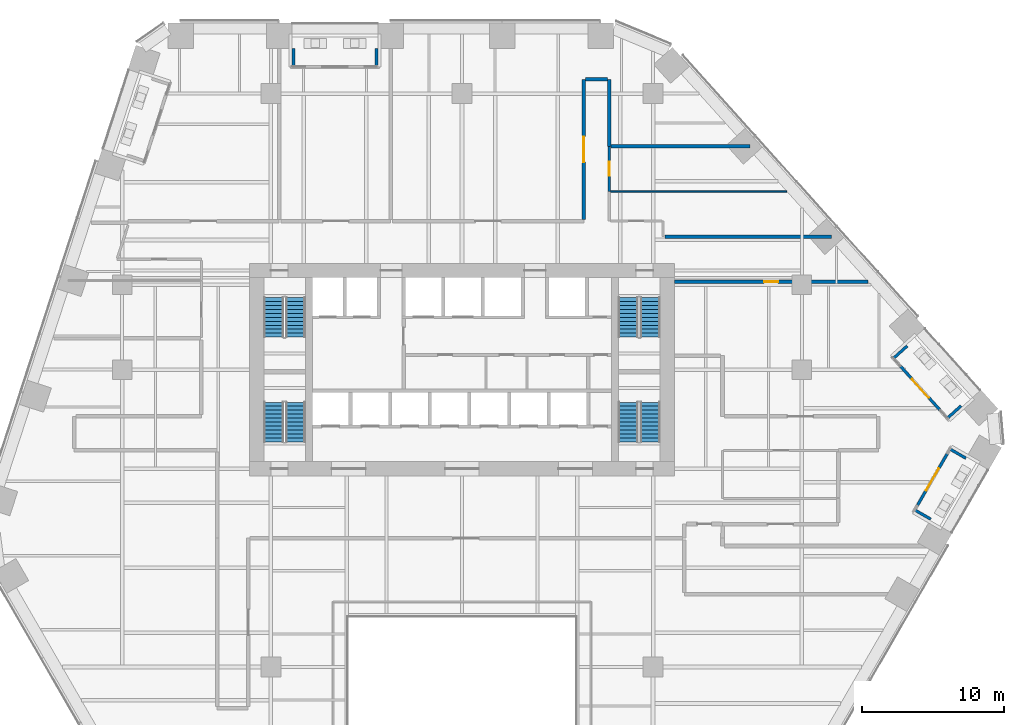
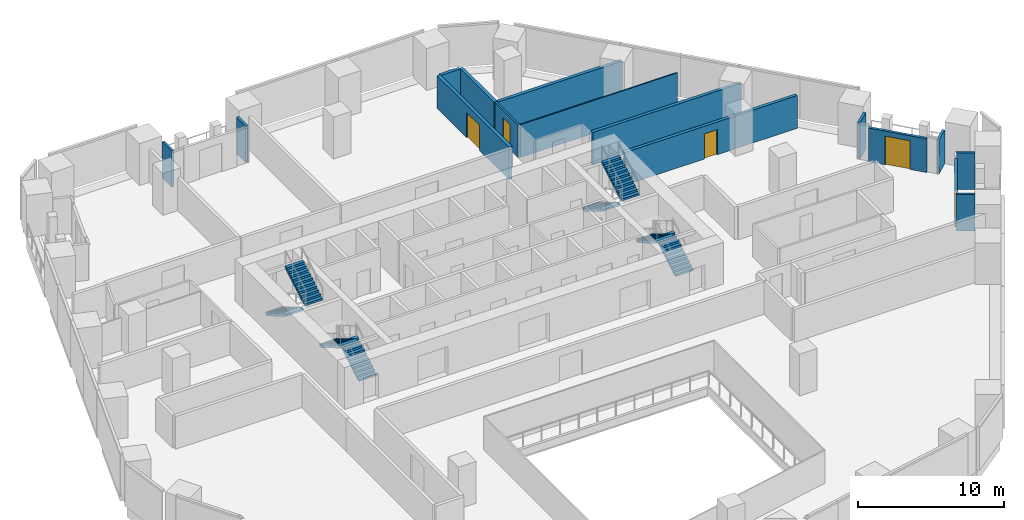
# One storey, part 23 of 28: 16 walls, 8 stair flights, 5 doors, 5 openings, 4 elements without a shape of their own.
"""IFC4 building model written with IfcOpenShell, lengths in metres."""

from ifc_helpers import new_model, si_unit, direction, frame, frame_2d, origin, place, context, subcontext, project, spatial, polyline, rectangle, outline, extrude, material, layer, layer_set, type_object, element, fill, aggregate, save


model = new_model("IFC4")

# Units and contexts
model_context = context("Model", 3, precision=1e-05, world=origin(), true_north=direction((0.0, 1.0)))
body_context = subcontext(model_context, "Body", "Model", "MODEL_VIEW")
ifc_project = project(units=[si_unit("LENGTHUNIT", "METRE"), si_unit("AREAUNIT", "SQUARE_METRE"), si_unit("VOLUMEUNIT", "CUBIC_METRE"), si_unit("PLANEANGLEUNIT", "RADIAN"), si_unit("MASSUNIT", "GRAM", prefix="KILO")], contexts=[model_context])

# Site, building, storey
site_placement = place(None, origin())
site = spatial("IfcSite", under=ifc_project, at=site_placement, CompositionType="ELEMENT")
building_placement = place(site_placement, origin())
building = spatial("IfcBuilding", under=site, at=building_placement, Name="Isthmus Gate Tower", CompositionType="ELEMENT")
storey_placement = place(building_placement, frame((0.0, 0.0, 68.85009765625)))
storey = spatial("IfcBuildingStorey", under=building, at=storey_placement, Name="L15", CompositionType="ELEMENT", Elevation=68.85009765625)

# Wall
ifc_material_1 = material(Name="Double-leaf acoustic stud wall, fire-rated", Category="gypsum")
ifc_layer_1 = layer(ifc_material_1, 0.25)
ifc_layer_set_1 = layer_set([ifc_layer_1], Name="ACOUSTIC WALL 250 60 MIN")
wall_type_1 = type_object("IfcWallType", Name="ACOUSTIC WALL 250 60 MIN", PredefinedType="PARTITIONING", material=ifc_layer_set_1)
wall_1_placement = place(storey_placement, frame((10.39990234375, 28.0, 0.0), z_axis=(0.0, 0.0, 1.0), x_axis=(0.0, -1.0, 0.0)))
element("IfcWall", 1, at=wall_1_placement, inside=storey, type_object=wall_type_1, Name="L15 Acoustic Wall 250 60 Min", PredefinedType="PARTITIONING", context=body_context, shape_type="SweptSolid", body=[
    extrude(rectangle(XDim=4.717041015625, YDim=0.25, at=frame_2d((2.3583984375, 0.0))), origin(), (0.0, 0.0, 1.0), 2.7412109375),
])

# Wall, opening, door
wall_2_placement = place(storey_placement, frame((8.60009765625, 18.125, 0.0), z_axis=(0.0, 0.0, 1.0), x_axis=(0.0, 1.0, 0.0)))
wall_2 = element("IfcWall", 2, at=wall_2_placement, inside=storey, type_object=wall_type_1, Name="L15 Acoustic Wall 250 60 Min", PredefinedType="PARTITIONING", context=body_context, shape_type="SweptSolid", body=[
    extrude(rectangle(XDim=9.875, YDim=0.25, at=frame_2d((4.9375, 0.0))), origin(), (0.0, 0.0, 1.0), 2.7412109375),
])
opening_1_placement = place(wall_2_placement, frame((4.03759765625, 0.0, 0.0)))
opening_1 = element("IfcOpeningElement", 3, at=opening_1_placement, cuts=wall_2, Name="Opening DT-T1D-04", PredefinedType="OPENING", context=body_context, shape_type="SweptSolid", body=[
    extrude(rectangle(XDim=1.800048828125, YDim=2.10009765625, at=frame_2d((0.89990234375, 1.050048828125))), frame((0.0, 0.135009765625, 0.0), z_axis=(0.0, -1.0, 0.0), x_axis=(1.0, 0.0, 0.0)), (0.0, 0.0, 1.0), 0.27001953125),
])
ifc_material_2 = material(Name="Solid core timber door leaf, fire-rated", Category="wood")
door_type_1 = type_object("IfcDoorType", Name="FIRE DOOR ACOUSTIC ROOM 1800 X 2100 60 MIN", OperationType="DOUBLE_DOOR_DOUBLE_SWING", PredefinedType="DOOR", material=ifc_material_2)
door_1_placement = place(opening_1_placement, origin())
door_1 = element("IfcDoor", 4, at=door_1_placement, inside=storey, type_object=door_type_1, Name="L15 room door", OperationType="DOUBLE_DOOR_DOUBLE_SWING", OverallHeight=2.10009765625, OverallWidth=1.800048828125, PredefinedType="DOOR", context=body_context, shape_type="SweptSolid", body=[
    extrude(rectangle(XDim=1.800048828125, YDim=2.10009765625, at=frame_2d((0.89990234375, 1.050048828125))), frame((0.0, 0.02490234375, 0.0), z_axis=(0.0, -1.0, 0.0), x_axis=(1.0, 0.0, 0.0)), (0.0, 0.0, 1.0), 0.050048828125),
])
fill(opening_1, door_1)

# Walls
wall_3_placement = place(storey_placement, frame((8.72509765625, 28.0, 0.0), z_axis=(0.0, 0.0, 1.0), x_axis=(1.0, 0.0, 0.0)))
element("IfcWall", 5, at=wall_3_placement, inside=storey, type_object=wall_type_1, Name="L15 Acoustic Wall 250 60 Min", PredefinedType="PARTITIONING", context=body_context, shape_type="SweptSolid", body=[
    extrude(rectangle(XDim=1.5498046875, YDim=0.25, at=frame_2d((0.77490234375, 0.0))), origin(), (0.0, 0.0, 1.0), 2.7412109375),
])
wall_4_placement = place(storey_placement, frame((10.52490234375, 23.282958984375, 0.0), z_axis=(0.0, 0.0, 1.0), x_axis=(1.0, 0.0, 0.0)))
element("IfcWall", 6, at=wall_4_placement, inside=storey, type_object=wall_type_1, Name="L15 Acoustic Wall 250 60 Min", PredefinedType="PARTITIONING", context=body_context, shape_type="SweptSolid", body=[
    extrude(rectangle(XDim=9.822021484375, YDim=0.25, at=frame_2d((4.9111328125, 0.0))), origin(), (0.0, 0.0, 1.0), 2.7412109375),
])
wall_5_placement = place(storey_placement, frame((14.324951171875, 16.89990234375, 0.0), z_axis=(0.0, 0.0, 1.0), x_axis=(1.0, 0.0, 0.0)))
element("IfcWall", 7, at=wall_5_placement, inside=storey, type_object=wall_type_1, Name="L15 Acoustic Wall 250 60 Min", PredefinedType="PARTITIONING", context=body_context, shape_type="SweptSolid", body=[
    extrude(rectangle(XDim=11.77001953125, YDim=0.25, at=frame_2d((5.885009765625, 0.0))), origin(), (0.0, 0.0, 1.0), 2.7412109375),
])

# Wall, opening, door
wall_6_placement = place(storey_placement, frame((15.0, 13.708984375, 0.0), z_axis=(0.0, 0.0, 1.0), x_axis=(1.0, 0.0, 0.0)))
wall_6 = element("IfcWall", 8, at=wall_6_placement, inside=storey, type_object=wall_type_1, Name="L15 Acoustic Wall 250 60 Min", PredefinedType="PARTITIONING", context=body_context, shape_type="SweptSolid", body=[
    extrude(rectangle(XDim=13.66796875, YDim=0.25, at=frame_2d((6.833984375, 0.0))), origin(), (0.0, 0.0, 1.0), 2.7412109375),
])
opening_2_placement = place(wall_6_placement, frame((6.333984375, 0.0, 0.0)))
opening_2 = element("IfcOpeningElement", 9, at=opening_2_placement, cuts=wall_6, Name="Opening DT-T1D-27", PredefinedType="OPENING", context=body_context, shape_type="SweptSolid", body=[
    extrude(rectangle(XDim=1.0, YDim=2.10009765625, at=frame_2d((0.5, 1.050048828125))), frame((0.0, 0.135009765625, 0.0), z_axis=(0.0, -1.0, 0.0), x_axis=(1.0, 0.0, 0.0)), (0.0, 0.0, 1.0), 0.27001953125),
])
ifc_material_3 = material(Name="Solid core timber door leaf, fire-rated", Category="wood")
door_type_2 = type_object("IfcDoorType", Name="FIRE DOOR ACOUSTIC ROOM 1000 X 2100 60 MIN", OperationType="SINGLE_SWING_LEFT", PredefinedType="DOOR", material=ifc_material_3)
door_2_placement = place(opening_2_placement, origin())
door_2 = element("IfcDoor", 10, at=door_2_placement, inside=storey, type_object=door_type_2, Name="L15 room door", OperationType="SINGLE_SWING_LEFT", OverallHeight=2.10009765625, OverallWidth=1.0, PredefinedType="DOOR", context=body_context, shape_type="SweptSolid", body=[
    extrude(rectangle(XDim=1.0, YDim=2.10009765625, at=frame_2d((0.5, 1.050048828125))), frame((0.0, 0.02490234375, 0.0), z_axis=(0.0, -1.0, 0.0), x_axis=(1.0, 0.0, 0.0)), (0.0, 0.0, 1.0), 0.050048828125),
])
fill(opening_2, door_2)

ifc_material_4 = material(Name="Gypsum board on steel studs, fire-rated", Category="steel")
ifc_layer_2 = layer(ifc_material_4, 0.14990234375)
ifc_layer_set_2 = layer_set([ifc_layer_2], Name="CORRIDOR WALL 150 60 MIN")
wall_type_2 = type_object("IfcWallType", Name="CORRIDOR WALL 150 60 MIN", PredefinedType="PARTITIONING", material=ifc_layer_set_2)
wall_7_placement = place(storey_placement, frame((10.39990234375, 23.282958984375, 0.0), z_axis=(0.0, 0.0, 1.0), x_axis=(0.0, -1.0, 0.0)))
wall_7 = element("IfcWall", 11, at=wall_7_placement, inside=storey, type_object=wall_type_2, Name="L15 Corridor Wall 150 60 Min", PredefinedType="PARTITIONING", context=body_context, shape_type="SweptSolid", body=[
    extrude(rectangle(XDim=3.19091796875, YDim=0.14990234375, at=frame_2d((1.595458984375, 0.0))), origin(), (0.0, 0.0, 1.0), 2.7412109375),
])
opening_3_placement = place(wall_7_placement, frame((1.095458984375, 0.0, 0.0)))
opening_3 = element("IfcOpeningElement", 12, at=opening_3_placement, cuts=wall_7, Name="Opening DT-T1D-05", PredefinedType="OPENING", context=body_context, shape_type="SweptSolid", body=[
    extrude(rectangle(XDim=1.0, YDim=2.10009765625, at=frame_2d((0.5, 1.050048828125))), frame((0.0, 0.0849609375, 0.0), z_axis=(0.0, -1.0, 0.0), x_axis=(1.0, 0.0, 0.0)), (0.0, 0.0, 1.0), 0.169921875),
])
ifc_material_5 = material(Name="Solid core timber door leaf, fire-rated", Category="wood")
door_type_3 = type_object("IfcDoorType", Name="FIRE DOOR ROOM 1000 X 2100 60 MIN", OperationType="SINGLE_SWING_LEFT", PredefinedType="DOOR", material=ifc_material_5)
door_3_placement = place(opening_3_placement, origin())
door_3 = element("IfcDoor", 13, at=door_3_placement, inside=storey, type_object=door_type_3, Name="L15 room door", OperationType="SINGLE_SWING_RIGHT", OverallHeight=2.10009765625, OverallWidth=1.0, PredefinedType="DOOR", context=body_context, shape_type="SweptSolid", body=[
    extrude(rectangle(XDim=1.0, YDim=2.10009765625, at=frame_2d((0.5, 1.050048828125))), frame((0.0, 0.02490234375, 0.0), z_axis=(0.0, -1.0, 0.0), x_axis=(1.0, 0.0, 0.0)), (0.0, 0.0, 1.0), 0.050048828125),
])
fill(opening_3, door_3)

# Walls
ifc_material_6 = material(Name="Precast concrete C40/50", Category="concrete")
ifc_layer_3 = layer(ifc_material_6, 0.199951171875)
ifc_layer_set_3 = layer_set([ifc_layer_3], Name="LOGGIA WALL 200")
wall_type_3 = type_object("IfcWallType", Name="LOGGIA WALL 200", PredefinedType="SOLIDWALL", material=ifc_layer_set_3)
for number, where, z_axis, x_axis, name in (
    (14, (-6.037109375, 30.199951171875, 0.0), (0.0, 0.0, 1.0), (0.0, -1.0, 0.0), "LOGGIA SIDE WALL"),
    (15, (-11.90673828125, 30.199951171875, 0.0), (0.0, 0.0, 1.0), (0.0, -1.0, 0.0), "LOGGIA SIDE WALL"),
):
    element("IfcWall", number, at=place(storey_placement, frame(where, z_axis=z_axis, x_axis=x_axis)), inside=storey, type_object=wall_type_3, Name=name, PredefinedType="SOLIDWALL", context=body_context, shape_type="SweptSolid", body=[
        extrude(rectangle(XDim=1.283935546875, YDim=0.199951171875, at=frame_2d((0.64208984375, 0.0))), origin(), (0.0, 0.0, 1.0), 3.0498046875),
    ])

# Wall, opening, door
wall_8_placement = place(storey_placement, frame((32.181396484375, -2.06005859375, 0.0), z_axis=(0.0, 0.0, 1.0), x_axis=(0.500043453909, 0.866000314205, 0.0)))
wall_8 = element("IfcWall", 16, at=wall_8_placement, inside=storey, type_object=wall_type_3, Name="LOGGIA BACK WALL", PredefinedType="SOLIDWALL", context=body_context, shape_type="SweptSolid", body=[
    extrude(rectangle(XDim=4.169677734375, YDim=0.199951171875, at=frame_2d((2.0849609375, 0.0))), origin(), (0.0, 0.0, 1.0), 2.820556640625),
])
opening_4_placement = place(wall_8_placement, frame((1.184814453125, 0.0, 0.0)))
opening_4 = element("IfcOpeningElement", 17, at=opening_4_placement, cuts=wall_8, Name="Opening DE15-05", PredefinedType="OPENING", context=body_context, shape_type="SweptSolid", body=[
    extrude(rectangle(XDim=1.800048828125, YDim=2.39990234375, at=frame_2d((0.89990234375, 1.199951171875))), frame((0.0, 0.10986328125, 0.0), z_axis=(0.0, -1.0, 0.0), x_axis=(1.0, 0.0, 0.0)), (0.0, 0.0, 1.0), 0.219970703125),
])
ifc_material_7 = material(Name="Aluminium, pale champagne anodised, laminated glass", Category="aluminium")
door_type_4 = type_object("IfcDoorType", Name="LOGGIA DOOR SLIDING 1800 X 2400", OperationType="DOUBLE_DOOR_SLIDING", PredefinedType="DOOR", material=ifc_material_7)
door_4_placement = place(opening_4_placement, origin())
door_4 = element("IfcDoor", 18, at=door_4_placement, inside=storey, type_object=door_type_4, Name="DOOR DE15-05", OperationType="SINGLE_SWING_LEFT", OverallHeight=2.39990234375, OverallWidth=1.800048828125, PredefinedType="DOOR", context=body_context, shape_type="SweptSolid", body=[
    extrude(rectangle(XDim=1.800048828125, YDim=2.39990234375, at=frame_2d((0.89990234375, 1.199951171875))), frame((0.0, 0.02490234375, 0.0), z_axis=(0.0, -1.0, 0.0), x_axis=(1.0, 0.0, 0.0)), (0.0, 0.0, 1.0), 0.050048828125),
])
fill(opening_4, door_4)

# Walls
for number, where, z_axis, x_axis, name in (
    (19, (33.107421875, -3.056396484375, 0.0), (0.0, 0.0, 1.0), (-0.866093771789, 0.499881564442, 0.0), "LOGGIA SIDE WALL"),
    (20, (35.592041015625, 1.247314453125, 0.0), (0.0, 0.0, 1.0), (-0.86596390011, 0.500106512361, 0.0), "LOGGIA SIDE WALL"),
):
    element("IfcWall", number, at=place(storey_placement, frame(where, z_axis=z_axis, x_axis=x_axis)), inside=storey, type_object=wall_type_3, Name=name, PredefinedType="SOLIDWALL", context=body_context, shape_type="SweptSolid", body=[
        extrude(rectangle(XDim=1.283935546875, YDim=0.199951171875, at=frame_2d((0.64208984375, 0.0))), origin(), (0.0, 0.0, 1.0), 3.0498046875),
    ])

# Wall, opening, door
wall_9_placement = place(storey_placement, frame((33.78125, 4.62744140625, 0.0), z_axis=(0.0, 0.0, 1.0), x_axis=(-0.669138140895, 0.743138041282, 0.0)))
wall_9 = element("IfcWall", 21, at=wall_9_placement, inside=storey, type_object=wall_type_3, Name="LOGGIA BACK WALL", PredefinedType="SOLIDWALL", context=body_context, shape_type="SweptSolid", body=[
    extrude(rectangle(XDim=4.199951171875, YDim=0.199951171875, at=frame_2d((2.10009765625, 0.0))), origin(), (0.0, 0.0, 1.0), 2.820556640625),
])
opening_5_placement = place(wall_9_placement, frame((1.199951171875, 0.0, 0.0)))
opening_5 = element("IfcOpeningElement", 22, at=opening_5_placement, cuts=wall_9, Name="Opening DE15-06", PredefinedType="OPENING", context=body_context, shape_type="SweptSolid", body=[
    extrude(rectangle(XDim=1.800048828125, YDim=2.39990234375, at=frame_2d((0.89990234375, 1.199951171875))), frame((0.0, 0.10986328125, 0.0), z_axis=(0.0, -1.0, 0.0), x_axis=(1.0, 0.0, 0.0)), (0.0, 0.0, 1.0), 0.219970703125),
])
door_5_placement = place(opening_5_placement, origin())
door_5 = element("IfcDoor", 23, at=door_5_placement, inside=storey, type_object=door_type_4, Name="DOOR DE15-06", OperationType="SINGLE_SWING_LEFT", OverallHeight=2.39990234375, OverallWidth=1.800048828125, PredefinedType="DOOR", context=body_context, shape_type="SweptSolid", body=[
    extrude(rectangle(XDim=1.800048828125, YDim=2.39990234375, at=frame_2d((0.89990234375, 1.199951171875))), frame((0.0, 0.02490234375, 0.0), z_axis=(0.0, -1.0, 0.0), x_axis=(1.0, 0.0, 0.0)), (0.0, 0.0, 1.0), 0.050048828125),
])
fill(opening_5, door_5)

# Walls
wall_10_placement = place(storey_placement, frame((35.24560546875, 4.94384765625, 0.0), z_axis=(0.0, 0.0, 1.0), x_axis=(-0.743123928629, -0.669153813932, 0.0)))
element("IfcWall", 24, at=wall_10_placement, inside=storey, type_object=wall_type_3, Name="LOGGIA SIDE WALL", PredefinedType="SOLIDWALL", context=body_context, shape_type="SweptSolid", body=[
    extrude(rectangle(XDim=1.283935546875, YDim=0.199951171875, at=frame_2d((0.64208984375, 0.0))), origin(), (0.0, 0.0, 1.0), 2.820556640625),
])
wall_11_placement = place(storey_placement, frame((31.438720703125, 9.171875, 0.0), z_axis=(0.0, 0.0, 1.0), x_axis=(-0.743123928629, -0.669153813932, 0.0)))
element("IfcWall", 25, at=wall_11_placement, inside=storey, type_object=wall_type_3, Name="LOGGIA SIDE WALL", PredefinedType="SOLIDWALL", context=body_context, shape_type="SweptSolid", body=[
    extrude(rectangle(XDim=1.283935546875, YDim=0.199951171875, at=frame_2d((0.64208984375, 0.0))), origin(), (0.0, 0.0, 1.0), 3.0498046875),
])
ifc_material_8 = material(Name="Gypsum board on steel studs, fire-rated", Category="steel")
ifc_layer_4 = layer(ifc_material_8, 0.10009765625)
ifc_layer_set_4 = layer_set([ifc_layer_4], Name="ROOM PARTITION 100 30 MIN")
wall_type_4 = type_object("IfcWallType", Name="ROOM PARTITION 100 30 MIN", PredefinedType="PARTITIONING", material=ifc_layer_set_4)
wall_12_placement = place(storey_placement, frame((10.47509765625, 20.092041015625, 0.0), z_axis=(0.0, 0.0, 1.0), x_axis=(1.0, 0.0, 0.0)))
element("IfcWall", 26, at=wall_12_placement, inside=storey, type_object=wall_type_4, Name="L15 Room Partition 100 30 Min", PredefinedType="PARTITIONING", context=body_context, shape_type="SweptSolid", body=[
    extrude(rectangle(XDim=12.44580078125, YDim=0.10009765625, at=frame_2d((6.222900390625, 0.0))), origin(), (0.0, 0.0, 1.0), 2.7412109375),
])

# Stair, stair flights
ifc_material_9 = material(Name="Concrete f'c 40 MPa", Category="concrete")
stair_type = type_object("IfcStairType", Name="CORE STAIR 22 RISERS", PredefinedType="HALF_TURN_STAIR", material=ifc_material_9)
stair_1_placement = place(storey_placement, origin())
stair_1 = element("IfcStair", 27, at=stair_1_placement, inside=storey, type_object=stair_type, Name="L15 Exit Stair 1", PredefinedType="HALF_TURN_STAIR")
ifc_material_10 = material(Name="Concrete f'c 40 MPa", Category="concrete")
stair_flight_type = type_object("IfcStairFlightType", Name="STAIR FLIGHT RC 1400", PredefinedType="STRAIGHT", material=ifc_material_10)
stair_flight_1_placement = place(storey_placement, frame((-13.300048828125, 12.60009765625, 0.0), z_axis=(0.0, 0.0, 1.0), x_axis=(0.0, -1.0, 0.0)))
stair_flight_1 = element("IfcStairFlight", 28, at=stair_flight_1_placement, type_object=stair_flight_type, Name="ST1 flight 1", NumberOfRisers=11, NumberOfTreads=10, PredefinedType="STRAIGHT", RiserHeight=0.165909091, TreadLength=0.28, context=body_context, shape_type="SweptSolid", body=[
    extrude(outline(polyline([(0.0, 0.0), (0.0, 0.166015625), (0.280029296875, 0.166015625), (0.280029296875, 0.331787109375), (0.56005859375, 0.331787109375), (0.56005859375, 0.497802734375), (0.840087890625, 0.497802734375), (0.840087890625, 0.66357421875), (1.1201171875, 0.66357421875), (1.1201171875, 0.82958984375), (1.39990234375, 0.82958984375), (1.39990234375, 0.995361328125), (1.679931640625, 0.995361328125), (1.679931640625, 1.161376953125), (1.9599609375, 1.161376953125), (1.9599609375, 1.327392578125), (2.239990234375, 1.327392578125), (2.239990234375, 1.4931640625), (2.52001953125, 1.4931640625), (2.52001953125, 1.6591796875), (2.800048828125, 1.6591796875), (2.800048828125, 1.824951171875), (2.800048828125, 1.48486328125), (0.2939453125, 0.0), (0.0, 0.0)])), frame((0.0, 0.699951171875, 0.0), z_axis=(0.0, -1.0, 0.0), x_axis=(1.0, 0.0, 0.0)), (0.0, 0.0, 1.0), 1.39990234375),
])
stair_flight_2_placement = place(storey_placement, frame((-11.75, 9.800048828125, 1.824951171875), z_axis=(0.0, 0.0, 1.0), x_axis=(0.0, 1.0, 0.0)))
stair_flight_2 = element("IfcStairFlight", 29, at=stair_flight_2_placement, type_object=stair_flight_type, Name="ST1 flight 2", NumberOfRisers=11, NumberOfTreads=10, PredefinedType="STRAIGHT", RiserHeight=0.165909091, TreadLength=0.28, context=body_context, shape_type="SweptSolid", body=[
    extrude(outline(polyline([(0.0, 0.0), (0.0, 0.166015625), (0.280029296875, 0.166015625), (0.280029296875, 0.331787109375), (0.56005859375, 0.331787109375), (0.56005859375, 0.497802734375), (0.840087890625, 0.497802734375), (0.840087890625, 0.66357421875), (1.1201171875, 0.66357421875), (1.1201171875, 0.82958984375), (1.39990234375, 0.82958984375), (1.39990234375, 0.995361328125), (1.679931640625, 0.995361328125), (1.679931640625, 1.161376953125), (1.9599609375, 1.161376953125), (1.9599609375, 1.327392578125), (2.239990234375, 1.327392578125), (2.239990234375, 1.4931640625), (2.52001953125, 1.4931640625), (2.52001953125, 1.6591796875), (2.800048828125, 1.6591796875), (2.800048828125, 1.824951171875), (2.800048828125, 1.48486328125), (0.2939453125, 0.0), (0.0, 0.0)])), frame((0.0, 0.699951171875, 0.0), z_axis=(0.0, -1.0, 0.0), x_axis=(1.0, 0.0, 0.0)), (0.0, 0.0, 1.0), 1.39990234375),
])
aggregate(stair_1, [stair_flight_1, stair_flight_2])

stair_2_placement = place(storey_placement, origin())
stair_2 = element("IfcStair", 30, at=stair_2_placement, inside=storey, type_object=stair_type, Name="L15 Exit Stair 2", PredefinedType="HALF_TURN_STAIR")
stair_flight_3_placement = place(storey_placement, frame((11.75, 12.60009765625, 0.0), z_axis=(0.0, 0.0, 1.0), x_axis=(0.0, -1.0, 0.0)))
stair_flight_3 = element("IfcStairFlight", 31, at=stair_flight_3_placement, type_object=stair_flight_type, Name="ST2 flight 1", NumberOfRisers=11, NumberOfTreads=10, PredefinedType="STRAIGHT", RiserHeight=0.165909091, TreadLength=0.28, context=body_context, shape_type="SweptSolid", body=[
    extrude(outline(polyline([(0.0, 0.0), (0.0, 0.166015625), (0.280029296875, 0.166015625), (0.280029296875, 0.331787109375), (0.56005859375, 0.331787109375), (0.56005859375, 0.497802734375), (0.840087890625, 0.497802734375), (0.840087890625, 0.66357421875), (1.1201171875, 0.66357421875), (1.1201171875, 0.82958984375), (1.39990234375, 0.82958984375), (1.39990234375, 0.995361328125), (1.679931640625, 0.995361328125), (1.679931640625, 1.161376953125), (1.9599609375, 1.161376953125), (1.9599609375, 1.327392578125), (2.239990234375, 1.327392578125), (2.239990234375, 1.4931640625), (2.52001953125, 1.4931640625), (2.52001953125, 1.6591796875), (2.800048828125, 1.6591796875), (2.800048828125, 1.824951171875), (2.800048828125, 1.48486328125), (0.2939453125, 0.0), (0.0, 0.0)])), frame((0.0, 0.699951171875, 0.0), z_axis=(0.0, -1.0, 0.0), x_axis=(1.0, 0.0, 0.0)), (0.0, 0.0, 1.0), 1.39990234375),
])
stair_flight_4_placement = place(storey_placement, frame((13.300048828125, 9.800048828125, 1.824951171875), z_axis=(0.0, 0.0, 1.0), x_axis=(0.0, 1.0, 0.0)))
stair_flight_4 = element("IfcStairFlight", 32, at=stair_flight_4_placement, type_object=stair_flight_type, Name="ST2 flight 2", NumberOfRisers=11, NumberOfTreads=10, PredefinedType="STRAIGHT", RiserHeight=0.165909091, TreadLength=0.28, context=body_context, shape_type="SweptSolid", body=[
    extrude(outline(polyline([(0.0, 0.0), (0.0, 0.166015625), (0.280029296875, 0.166015625), (0.280029296875, 0.331787109375), (0.56005859375, 0.331787109375), (0.56005859375, 0.497802734375), (0.840087890625, 0.497802734375), (0.840087890625, 0.66357421875), (1.1201171875, 0.66357421875), (1.1201171875, 0.82958984375), (1.39990234375, 0.82958984375), (1.39990234375, 0.995361328125), (1.679931640625, 0.995361328125), (1.679931640625, 1.161376953125), (1.9599609375, 1.161376953125), (1.9599609375, 1.327392578125), (2.239990234375, 1.327392578125), (2.239990234375, 1.4931640625), (2.52001953125, 1.4931640625), (2.52001953125, 1.6591796875), (2.800048828125, 1.6591796875), (2.800048828125, 1.824951171875), (2.800048828125, 1.48486328125), (0.2939453125, 0.0), (0.0, 0.0)])), frame((0.0, 0.699951171875, 0.0), z_axis=(0.0, -1.0, 0.0), x_axis=(1.0, 0.0, 0.0)), (0.0, 0.0, 1.0), 1.39990234375),
])
aggregate(stair_2, [stair_flight_3, stair_flight_4])

stair_3_placement = place(storey_placement, origin())
stair_3 = element("IfcStair", 33, at=stair_3_placement, inside=storey, type_object=stair_type, Name="L15 Exit Stair 7", PredefinedType="HALF_TURN_STAIR")
stair_flight_5_placement = place(storey_placement, frame((-11.75, 2.39990234375, 0.0), z_axis=(0.0, 0.0, 1.0), x_axis=(0.0, 1.0, 0.0)))
stair_flight_5 = element("IfcStairFlight", 34, at=stair_flight_5_placement, type_object=stair_flight_type, Name="ST7 flight 1", NumberOfRisers=11, NumberOfTreads=10, PredefinedType="STRAIGHT", RiserHeight=0.165909091, TreadLength=0.28, context=body_context, shape_type="SweptSolid", body=[
    extrude(outline(polyline([(0.0, 0.0), (0.0, 0.166015625), (0.280029296875, 0.166015625), (0.280029296875, 0.331787109375), (0.56005859375, 0.331787109375), (0.56005859375, 0.497802734375), (0.840087890625, 0.497802734375), (0.840087890625, 0.66357421875), (1.1201171875, 0.66357421875), (1.1201171875, 0.82958984375), (1.39990234375, 0.82958984375), (1.39990234375, 0.995361328125), (1.679931640625, 0.995361328125), (1.679931640625, 1.161376953125), (1.9599609375, 1.161376953125), (1.9599609375, 1.327392578125), (2.239990234375, 1.327392578125), (2.239990234375, 1.4931640625), (2.52001953125, 1.4931640625), (2.52001953125, 1.6591796875), (2.800048828125, 1.6591796875), (2.800048828125, 1.824951171875), (2.800048828125, 1.48486328125), (0.2939453125, 0.0), (0.0, 0.0)])), frame((0.0, 0.699951171875, 0.0), z_axis=(0.0, -1.0, 0.0), x_axis=(1.0, 0.0, 0.0)), (0.0, 0.0, 1.0), 1.39990234375),
])
stair_flight_6_placement = place(storey_placement, frame((-13.300048828125, 5.199951171875, 1.824951171875), z_axis=(0.0, 0.0, 1.0), x_axis=(0.0, -1.0, 0.0)))
stair_flight_6 = element("IfcStairFlight", 35, at=stair_flight_6_placement, type_object=stair_flight_type, Name="ST7 flight 2", NumberOfRisers=11, NumberOfTreads=10, PredefinedType="STRAIGHT", RiserHeight=0.165909091, TreadLength=0.28, context=body_context, shape_type="SweptSolid", body=[
    extrude(outline(polyline([(0.0, 0.0), (0.0, 0.166015625), (0.280029296875, 0.166015625), (0.280029296875, 0.331787109375), (0.56005859375, 0.331787109375), (0.56005859375, 0.497802734375), (0.840087890625, 0.497802734375), (0.840087890625, 0.66357421875), (1.1201171875, 0.66357421875), (1.1201171875, 0.82958984375), (1.39990234375, 0.82958984375), (1.39990234375, 0.995361328125), (1.679931640625, 0.995361328125), (1.679931640625, 1.161376953125), (1.9599609375, 1.161376953125), (1.9599609375, 1.327392578125), (2.239990234375, 1.327392578125), (2.239990234375, 1.4931640625), (2.52001953125, 1.4931640625), (2.52001953125, 1.6591796875), (2.800048828125, 1.6591796875), (2.800048828125, 1.824951171875), (2.800048828125, 1.48486328125), (0.2939453125, 0.0), (0.0, 0.0)])), frame((0.0, 0.699951171875, 0.0), z_axis=(0.0, -1.0, 0.0), x_axis=(1.0, 0.0, 0.0)), (0.0, 0.0, 1.0), 1.39990234375),
])
aggregate(stair_3, [stair_flight_5, stair_flight_6])

stair_4_placement = place(storey_placement, origin())
stair_4 = element("IfcStair", 36, at=stair_4_placement, inside=storey, type_object=stair_type, Name="L15 Exit Stair 8", PredefinedType="HALF_TURN_STAIR")
stair_flight_7_placement = place(storey_placement, frame((13.300048828125, 2.39990234375, 0.0), z_axis=(0.0, 0.0, 1.0), x_axis=(0.0, 1.0, 0.0)))
stair_flight_7 = element("IfcStairFlight", 37, at=stair_flight_7_placement, type_object=stair_flight_type, Name="ST8 flight 1", NumberOfRisers=11, NumberOfTreads=10, PredefinedType="STRAIGHT", RiserHeight=0.165909091, TreadLength=0.28, context=body_context, shape_type="SweptSolid", body=[
    extrude(outline(polyline([(0.0, 0.0), (0.0, 0.166015625), (0.280029296875, 0.166015625), (0.280029296875, 0.331787109375), (0.56005859375, 0.331787109375), (0.56005859375, 0.497802734375), (0.840087890625, 0.497802734375), (0.840087890625, 0.66357421875), (1.1201171875, 0.66357421875), (1.1201171875, 0.82958984375), (1.39990234375, 0.82958984375), (1.39990234375, 0.995361328125), (1.679931640625, 0.995361328125), (1.679931640625, 1.161376953125), (1.9599609375, 1.161376953125), (1.9599609375, 1.327392578125), (2.239990234375, 1.327392578125), (2.239990234375, 1.4931640625), (2.52001953125, 1.4931640625), (2.52001953125, 1.6591796875), (2.800048828125, 1.6591796875), (2.800048828125, 1.824951171875), (2.800048828125, 1.48486328125), (0.2939453125, 0.0), (0.0, 0.0)])), frame((0.0, 0.699951171875, 0.0), z_axis=(0.0, -1.0, 0.0), x_axis=(1.0, 0.0, 0.0)), (0.0, 0.0, 1.0), 1.39990234375),
])
stair_flight_8_placement = place(storey_placement, frame((11.75, 5.199951171875, 1.824951171875), z_axis=(0.0, 0.0, 1.0), x_axis=(0.0, -1.0, 0.0)))
stair_flight_8 = element("IfcStairFlight", 38, at=stair_flight_8_placement, type_object=stair_flight_type, Name="ST8 flight 2", NumberOfRisers=11, NumberOfTreads=10, PredefinedType="STRAIGHT", RiserHeight=0.165909091, TreadLength=0.28, context=body_context, shape_type="SweptSolid", body=[
    extrude(outline(polyline([(0.0, 0.0), (0.0, 0.166015625), (0.280029296875, 0.166015625), (0.280029296875, 0.331787109375), (0.56005859375, 0.331787109375), (0.56005859375, 0.497802734375), (0.840087890625, 0.497802734375), (0.840087890625, 0.66357421875), (1.1201171875, 0.66357421875), (1.1201171875, 0.82958984375), (1.39990234375, 0.82958984375), (1.39990234375, 0.995361328125), (1.679931640625, 0.995361328125), (1.679931640625, 1.161376953125), (1.9599609375, 1.161376953125), (1.9599609375, 1.327392578125), (2.239990234375, 1.327392578125), (2.239990234375, 1.4931640625), (2.52001953125, 1.4931640625), (2.52001953125, 1.6591796875), (2.800048828125, 1.6591796875), (2.800048828125, 1.824951171875), (2.800048828125, 1.48486328125), (0.2939453125, 0.0), (0.0, 0.0)])), frame((0.0, 0.699951171875, 0.0), z_axis=(0.0, -1.0, 0.0), x_axis=(1.0, 0.0, 0.0)), (0.0, 0.0, 1.0), 1.39990234375),
])
aggregate(stair_4, [stair_flight_7, stair_flight_8])

save(model, "model.ifc")
